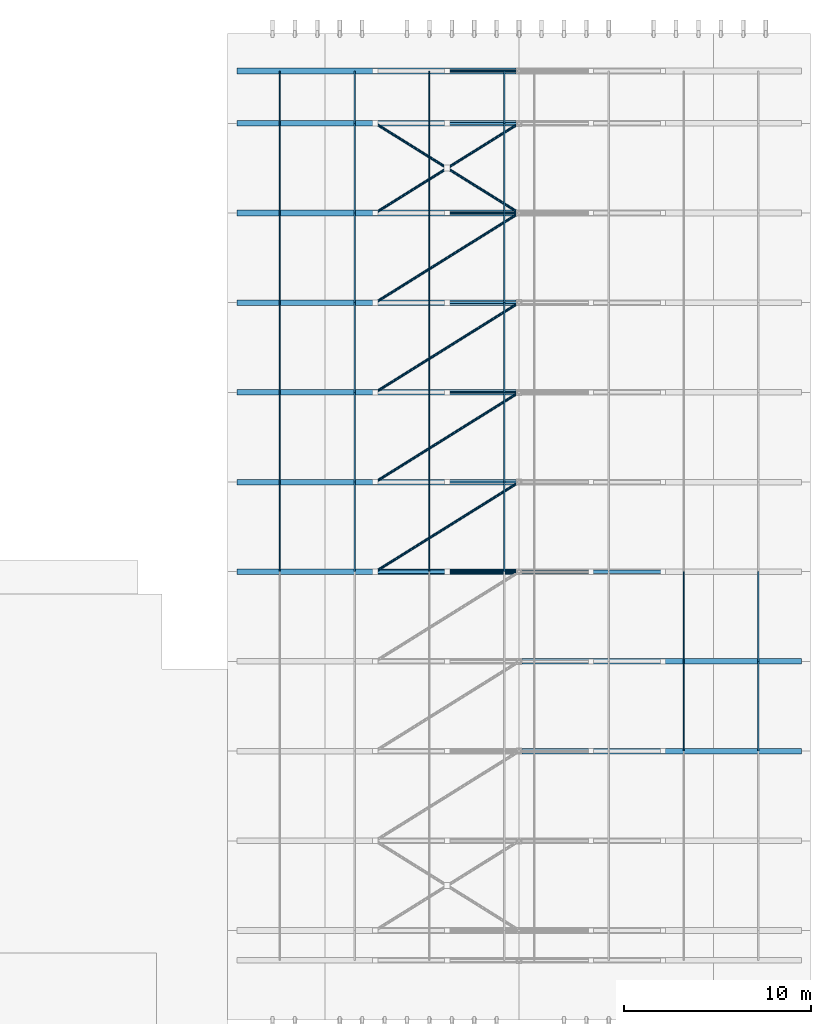
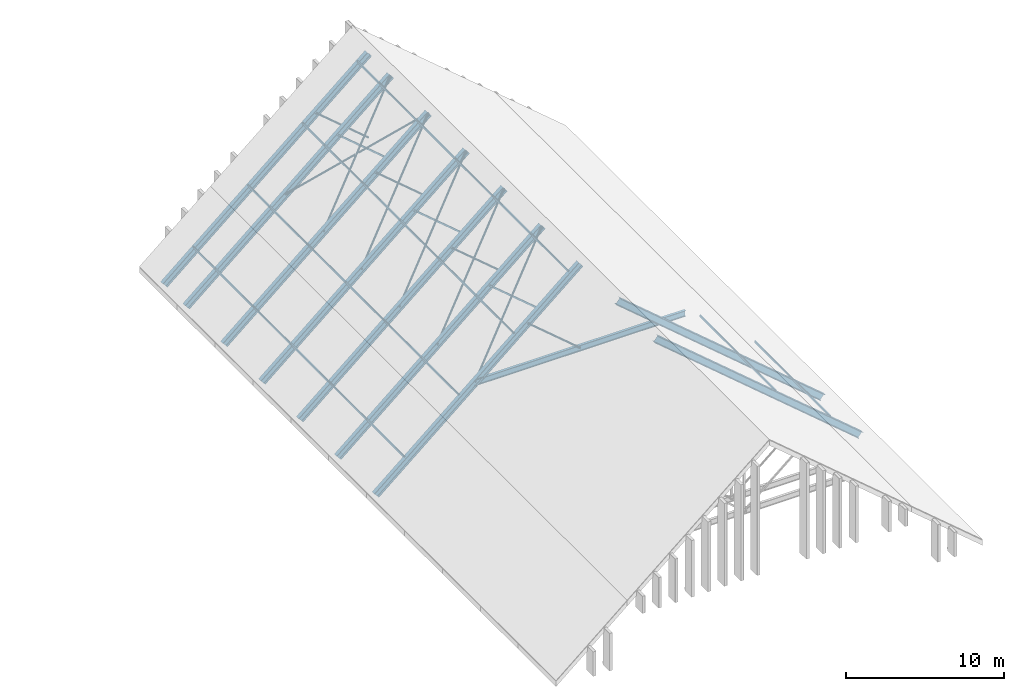
# One storey, part 27 of 60: 42 members, 10 beams.
"""IFC4 building model written with IfcOpenShell, lengths in metres."""

from ifc_helpers import new_model, si_unit, direction, frame, origin, origin_2d, place, context, subcontext, project, spatial, hollow_rectangle, hollow_circle, i_section, extrude, material, material_profile, profile_set, type_object, element, save


model = new_model("IFC4")

# Units and contexts
model_context = context("Model", 3, precision=1e-05, world=origin(), true_north=direction((0.0, 1.0)))
body_context = subcontext(model_context, "Body", "Model", "MODEL_VIEW")
ifc_project = project(units=[si_unit("LENGTHUNIT", "METRE"), si_unit("AREAUNIT", "SQUARE_METRE"), si_unit("VOLUMEUNIT", "CUBIC_METRE"), si_unit("PLANEANGLEUNIT", "RADIAN"), si_unit("MASSUNIT", "GRAM", prefix="KILO")], contexts=[model_context])

# Site, building, storey
site_placement = place(None, origin())
site = spatial("IfcSite", under=ifc_project, at=site_placement, CompositionType="ELEMENT")
building_placement = place(site_placement, origin())
building = spatial("IfcBuilding", under=site, at=building_placement, Name="Nakhvara Creek Congress Hotel", CompositionType="ELEMENT")
storey_placement = place(building_placement, frame((0.0, 0.0, 54.60009765625)))
storey = spatial("IfcBuildingStorey", under=building, at=storey_placement, Name="RL1", CompositionType="ELEMENT", Elevation=54.60009765625)

# Beams
ifc_material_1 = material(Name="Steel S355J2", Category="steel")
ifc_material_profile_1 = material_profile(ifc_material_1, i_section(OverallWidth=0.300048828125, OverallDepth=0.5, WebThickness=0.014404296875, FlangeThickness=0.028076171875, FilletRadius=0.027099609375, at=origin_2d()), Name="HEB 500", Category="LoadBearing")
ifc_profile_set_1 = profile_set([ifc_material_profile_1], Name="Steel S355J2")
beam_type_1 = type_object("IfcBeamType", Name="BM-ST-HEB500", PredefinedType="BEAM", material=ifc_profile_set_1)
for number, where, z_axis, x_axis, name in (
    (1, (164.39990234375, 87.60009765625, 8.11376953125), (0.763392905421, 0.0, -0.645934417687), (0.0, 1.0, 0.0), "Hotel Gothic Gable East Rafter 04"),
    (2, (164.39990234375, 92.39990234375, 8.11376953125), (0.763392905421, 0.0, -0.645934417687), (0.0, 1.0, 0.0), "Hotel Gothic Gable East Rafter 05"),
):
    element("IfcBeam", number, at=place(storey_placement, frame(where, z_axis=z_axis, x_axis=x_axis)), inside=storey, type_object=beam_type_1, Name=name, PredefinedType="BEAM", context=body_context, shape_type="SweptSolid", body=[
        extrude(i_section(OverallWidth=0.300048828125, OverallDepth=0.5, WebThickness=0.014404296875, FlangeThickness=0.028076171875, FilletRadius=0.027099609375, at=origin_2d()), origin(), (0.0, 0.0, 1.0), 19.583984375),
    ])
for number, where, z_axis, x_axis, name in (
    (3, (149.449951171875, 97.199951171875, -4.5361328125), (0.763387703972, 0.0, 0.645940564932), (0.0, 1.0, 0.0), "Hotel Gothic Gable West Rafter 06"),
    (4, (149.449951171875, 102.0, -4.5361328125), (0.763387703972, 0.0, 0.645940564932), (0.0, 1.0, 0.0), "Hotel Gothic Gable West Rafter 07"),
    (5, (149.449951171875, 106.800048828125, -4.5361328125), (0.763387703972, 0.0, 0.645940564932), (0.0, 1.0, 0.0), "Hotel Gothic Gable West Rafter 08"),
    (6, (149.449951171875, 111.60009765625, -4.5361328125), (0.763387703972, 0.0, 0.645940564932), (0.0, 1.0, 0.0), "Hotel Gothic Gable West Rafter 09"),
    (7, (149.449951171875, 116.39990234375, -4.5361328125), (0.763387703972, 0.0, 0.645940564932), (0.0, 1.0, 0.0), "Hotel Gothic Gable West Rafter 10"),
    (8, (149.449951171875, 121.199951171875, -4.5361328125), (0.763387703972, 0.0, 0.645940564932), (0.0, 1.0, 0.0), "Hotel Gothic Gable West Rafter 11"),
    (9, (149.449951171875, 124.0, -4.5361328125), (0.763387703972, 0.0, 0.645940564932), (0.0, 1.0, 0.0), "Hotel Gothic Gable West Rafter 12"),
):
    element("IfcBeam", number, at=place(storey_placement, frame(where, z_axis=z_axis, x_axis=x_axis)), inside=storey, type_object=beam_type_1, Name=name, PredefinedType="BEAM", context=body_context, shape_type="SweptSolid", body=[
        extrude(i_section(OverallWidth=0.300048828125, OverallDepth=0.5, WebThickness=0.014404296875, FlangeThickness=0.028076171875, FilletRadius=0.027099609375, at=origin_2d()), origin(), (0.0, 0.0, 1.0), 19.583740234375),
    ])
ifc_material_profile_2 = material_profile(ifc_material_1, i_section(OverallWidth=0.1904296875, OverallDepth=0.45703125, WebThickness=0.009033203125, FlangeThickness=0.014404296875, FilletRadius=0.01025390625, at=origin_2d()), Name="UB 457x191x74", Category="LoadBearing")
ifc_profile_set_2 = profile_set([ifc_material_profile_2], Name="Steel S355J2")
beam_type_2 = type_object("IfcBeamType", Name="BM-ST-UB457", PredefinedType="BEAM", material=ifc_profile_set_2)
beam_placement = place(storey_placement, frame((156.70166015625, 97.199951171875, 1.599853515625), z_axis=(1.0, 0.0, 0.0), x_axis=(0.0, 1.0, 0.0)))
element("IfcBeam", 10, at=beam_placement, inside=storey, type_object=beam_type_2, Name="Hotel Gothic Gable Collar Tie 06", PredefinedType="BEAM", context=body_context, shape_type="SweptSolid", body=[
    extrude(i_section(OverallWidth=0.1904296875, OverallDepth=0.45703125, WebThickness=0.009033203125, FlangeThickness=0.014404296875, FilletRadius=0.01025390625, at=origin_2d()), origin(), (0.0, 0.0, 1.0), 15.396728515625),
])

# Members
ifc_material_2 = material(Name="Steel S355J2H", Category="steel")
ifc_material_profile_3 = material_profile(ifc_material_2, hollow_circle(Radius=0.06982421875, WallThickness=0.00634765625, at=origin_2d()), Name="CHS 139.7x6.3", Category="LoadBearing")
ifc_profile_set_3 = profile_set([ifc_material_profile_3], Name="Steel S355J2H")
member_type_1 = type_object("IfcMemberType", Name="MEM-BRC-CHS139", PredefinedType="BRACE", material=ifc_profile_set_3)
for number, where, z_axis, x_axis, name in (
    (11, (156.70166015625, 97.199951171875, 1.599853515625), (0.689284113032, 0.429786088619, 0.58324208486), (-0.529098783397, 0.848560237937, 0.0), "Hotel Gable Roof Diaphragm Brace 06"),
    (12, (156.70166015625, 102.0, 1.599853515625), (0.689284113032, 0.429786088619, 0.58324208486), (-0.529098783397, 0.848560237937, 0.0), "Hotel Gable Roof Diaphragm Brace 07"),
    (13, (156.70166015625, 106.800048828125, 1.599853515625), (0.689284113032, 0.429786088619, 0.58324208486), (-0.529098783397, 0.848560237937, 0.0), "Hotel Gable Roof Diaphragm Brace 08"),
    (14, (156.70166015625, 111.60009765625, 1.599853515625), (0.689290588817, 0.429768266401, 0.583247564386), (-0.529079405538, 0.848572320215, 0.0), "Hotel Gable Roof Diaphragm Brace 09"),
    (15, (156.70166015625, 116.39990234375, 1.599853515625), (0.689284113032, 0.429786088619, 0.58324208486), (-0.529098783397, 0.848560237937, 0.0), "Hotel Gable Roof Diaphragm Brace 10"),
):
    element("IfcMember", number, at=place(storey_placement, frame(where, z_axis=z_axis, x_axis=x_axis)), inside=storey, type_object=member_type_1, Name=name, PredefinedType="BRACE", context=body_context, shape_type="SweptSolid", body=[
        extrude(hollow_circle(Radius=0.06982421875, WallThickness=0.00634765625, at=origin_2d()), origin(), (0.0, 0.0, 1.0), 11.16845703125),
    ])
member_1_placement = place(storey_placement, frame((156.70166015625, 121.199951171875, 1.599853515625), z_axis=(0.68929170594, -0.429781517776, 0.583236479569), x_axis=(0.529090534892, 0.848565381033, 0.0)))
element("IfcMember", 16, at=member_1_placement, inside=storey, type_object=member_type_1, Name="Hotel Gable Split X-Brace Segment 10A", PredefinedType="BRACE", context=body_context, shape_type="SweptSolid", body=[
    extrude(hollow_circle(Radius=0.06982421875, WallThickness=0.00634765625, at=origin_2d()), origin(), (0.0, 0.0, 1.0), 5.4443359375),
])
member_2_placement = place(storey_placement, frame((160.647216796875, 118.73974609375, 4.938720703125), z_axis=(0.689309734001, -0.429792758484, 0.583206888991), x_axis=(0.529090534892, 0.848565381033, 0.0)))
element("IfcMember", 17, at=member_2_placement, inside=storey, type_object=member_type_1, Name="Hotel Gable Split X-Brace Segment 10B", PredefinedType="BRACE", context=body_context, shape_type="SweptSolid", body=[
    extrude(hollow_circle(Radius=0.06982421875, WallThickness=0.00634765625, at=origin_2d()), origin(), (0.0, 0.0, 1.0), 5.444091796875),
])
ifc_material_profile_4 = material_profile(ifc_material_2, hollow_circle(Radius=0.06982421875, WallThickness=0.008056640625, at=origin_2d()), Name="CHS 139.7x8.0", Category="LoadBearing")
ifc_profile_set_4 = profile_set([ifc_material_profile_4], Name="Steel S355J2H")
member_type_2 = type_object("IfcMemberType", Name="MEM-BRC-CHS139H", PredefinedType="BRACE", material=ifc_profile_set_4)
for number, where, z_axis, x_axis, name in (
    (18, (164.39990234375, 97.199951171875, 1.599853515625), (-0.763373429147, 0.0, 0.645957434876), (0.0, -1.0, 0.0), "Hotel Gable Web Brace W-06"),
    (19, (164.39990234375, 106.800048828125, 1.599853515625), (-0.763373429147, 0.0, 0.645957434876), (0.0, -1.0, 0.0), "Hotel Gable Web Brace W-08"),
    (20, (164.39990234375, 116.39990234375, 1.599853515625), (-0.763373429147, 0.0, 0.645957434876), (0.0, -1.0, 0.0), "Hotel Gable Web Brace W-10"),
    (21, (164.39990234375, 124.0, 1.599853515625), (-0.763373429147, 0.0, 0.645957434876), (0.0, -1.0, 0.0), "Hotel Gable Web Brace W-12"),
):
    element("IfcMember", number, at=place(storey_placement, frame(where, z_axis=z_axis, x_axis=x_axis)), inside=storey, type_object=member_type_2, Name=name, PredefinedType="BRACE", context=body_context, shape_type="SweptSolid", body=[
        extrude(hollow_circle(Radius=0.06982421875, WallThickness=0.008056640625, at=origin_2d()), origin(), (0.0, 0.0, 1.0), 5.042236328125),
    ])
ifc_material_profile_5 = material_profile(ifc_material_2, hollow_rectangle(XDim=0.1201171875, YDim=0.1201171875, WallThickness=0.008056640625, InnerFilletRadius=0.008056640625, OuterFilletRadius=0.01611328125, at=origin_2d()), Name="SHS 120x120x8.0", Category="LoadBearing")
ifc_profile_set_5 = profile_set([ifc_material_profile_5], Name="Steel S355J2H")
member_type_3 = type_object("IfcMemberType", Name="MEM-BRC-SHS120", PredefinedType="BRACE", material=ifc_profile_set_5)
for number, where, z_axis, x_axis, name in (
    (22, (164.39990234375, 102.0, 1.599853515625), (-0.763373429147, 0.0, 0.645957434876), (0.0, -1.0, 0.0), "Hotel Gable Web Brace W-07"),
    (23, (164.39990234375, 111.60009765625, 1.599853515625), (-0.763373429147, 0.0, 0.645957434876), (0.0, -1.0, 0.0), "Hotel Gable Web Brace W-09"),
    (24, (164.39990234375, 121.199951171875, 1.599853515625), (-0.763373429147, 0.0, 0.645957434876), (0.0, -1.0, 0.0), "Hotel Gable Web Brace W-11"),
):
    element("IfcMember", number, at=place(storey_placement, frame(where, z_axis=z_axis, x_axis=x_axis)), inside=storey, type_object=member_type_3, Name=name, PredefinedType="BRACE", context=body_context, shape_type="SweptSolid", body=[
        extrude(hollow_rectangle(XDim=0.1201171875, YDim=0.1201171875, WallThickness=0.008056640625, InnerFilletRadius=0.008056640625, OuterFilletRadius=0.01611328125, at=origin_2d()), origin(), (0.0, 0.0, 1.0), 5.042236328125),
    ])
ifc_material_profile_6 = material_profile(ifc_material_2, hollow_rectangle(XDim=0.080078125, YDim=0.159912109375, WallThickness=0.00634765625, InnerFilletRadius=0.00634765625, OuterFilletRadius=0.0126953125, at=origin_2d()), Name="RHS 160x80x6.3", Category="LoadBearing")
ifc_profile_set_6 = profile_set([ifc_material_profile_6], Name="Steel S355J2H")
member_type_4 = type_object("IfcMemberType", Name="MEM-PUR-RHS160", PredefinedType="PURLIN", material=ifc_profile_set_6)
for number, where, z_axis, x_axis, name in (
    (25, (151.60009765625, 97.199951171875, -2.39697265625), (0.0, 1.0, 0.0), (-1.0, 0.0, 0.0), "Hotel Gable Purlin PR03-1.06"),
    (26, (151.60009765625, 102.0, -2.39697265625), (0.0, 1.0, 0.0), (-1.0, 0.0, 0.0), "Hotel Gable Purlin PR03-1.07"),
    (27, (151.60009765625, 106.800048828125, -2.39697265625), (0.0, 1.0, 0.0), (-1.0, 0.0, 0.0), "Hotel Gable Purlin PR03-1.08"),
):
    element("IfcMember", number, at=place(storey_placement, frame(where, z_axis=z_axis, x_axis=x_axis)), inside=storey, type_object=member_type_4, Name=name, PredefinedType="PURLIN", context=body_context, shape_type="SweptSolid", body=[
        extrude(hollow_rectangle(XDim=0.080078125, YDim=0.159912109375, WallThickness=0.00634765625, InnerFilletRadius=0.00634765625, OuterFilletRadius=0.0126953125, at=origin_2d()), origin(), (0.0, 0.0, 1.0), 4.800048828125),
    ])
member_3_placement = place(storey_placement, frame((151.60009765625, 111.60009765625, -2.39697265625), z_axis=(0.0, 1.0, 0.0), x_axis=(-1.0, 0.0, 0.0)))
element("IfcMember", 28, at=member_3_placement, inside=storey, type_object=member_type_4, Name="Hotel Gable Purlin PR03-1.09", PredefinedType="PURLIN", context=body_context, shape_type="SweptSolid", body=[
    extrude(hollow_rectangle(XDim=0.080078125, YDim=0.159912109375, WallThickness=0.00634765625, InnerFilletRadius=0.00634765625, OuterFilletRadius=0.0126953125, at=origin_2d()), origin(), (0.0, 0.0, 1.0), 4.7998046875),
])
member_4_placement = place(storey_placement, frame((151.60009765625, 116.39990234375, -2.39697265625), z_axis=(0.0, 1.0, 0.0), x_axis=(-1.0, 0.0, 0.0)))
element("IfcMember", 29, at=member_4_placement, inside=storey, type_object=member_type_4, Name="Hotel Gable Purlin PR03-1.10", PredefinedType="PURLIN", context=body_context, shape_type="SweptSolid", body=[
    extrude(hollow_rectangle(XDim=0.080078125, YDim=0.159912109375, WallThickness=0.00634765625, InnerFilletRadius=0.00634765625, OuterFilletRadius=0.0126953125, at=origin_2d()), origin(), (0.0, 0.0, 1.0), 4.800048828125),
])
member_5_placement = place(storey_placement, frame((151.60009765625, 121.199951171875, -2.39697265625), z_axis=(0.0, 1.0, 0.0), x_axis=(-1.0, 0.0, 0.0)))
element("IfcMember", 30, at=member_5_placement, inside=storey, type_object=member_type_4, Name="Hotel Gable Purlin PR03-1.11", PredefinedType="PURLIN", context=body_context, shape_type="SweptSolid", body=[
    extrude(hollow_rectangle(XDim=0.080078125, YDim=0.159912109375, WallThickness=0.00634765625, InnerFilletRadius=0.00634765625, OuterFilletRadius=0.0126953125, at=origin_2d()), origin(), (0.0, 0.0, 1.0), 2.800048828125),
])
for number, where, z_axis, x_axis, name in (
    (31, (155.60009765625, 97.199951171875, 0.98779296875), (0.0, 1.0, 0.0), (-1.0, 0.0, 0.0), "Hotel Gable Purlin PR03-2.06"),
    (32, (155.60009765625, 102.0, 0.98779296875), (0.0, 1.0, 0.0), (-1.0, 0.0, 0.0), "Hotel Gable Purlin PR03-2.07"),
    (33, (155.60009765625, 106.800048828125, 0.98779296875), (0.0, 1.0, 0.0), (-1.0, 0.0, 0.0), "Hotel Gable Purlin PR03-2.08"),
):
    element("IfcMember", number, at=place(storey_placement, frame(where, z_axis=z_axis, x_axis=x_axis)), inside=storey, type_object=member_type_4, Name=name, PredefinedType="PURLIN", context=body_context, shape_type="SweptSolid", body=[
        extrude(hollow_rectangle(XDim=0.080078125, YDim=0.159912109375, WallThickness=0.00634765625, InnerFilletRadius=0.00634765625, OuterFilletRadius=0.0126953125, at=origin_2d()), origin(), (0.0, 0.0, 1.0), 4.800048828125),
    ])
member_6_placement = place(storey_placement, frame((155.60009765625, 111.60009765625, 0.98779296875), z_axis=(0.0, 1.0, 0.0), x_axis=(-1.0, 0.0, 0.0)))
element("IfcMember", 34, at=member_6_placement, inside=storey, type_object=member_type_4, Name="Hotel Gable Purlin PR03-2.09", PredefinedType="PURLIN", context=body_context, shape_type="SweptSolid", body=[
    extrude(hollow_rectangle(XDim=0.080078125, YDim=0.159912109375, WallThickness=0.00634765625, InnerFilletRadius=0.00634765625, OuterFilletRadius=0.0126953125, at=origin_2d()), origin(), (0.0, 0.0, 1.0), 4.7998046875),
])
member_7_placement = place(storey_placement, frame((155.60009765625, 116.39990234375, 0.98779296875), z_axis=(0.0, 1.0, 0.0), x_axis=(-1.0, 0.0, 0.0)))
element("IfcMember", 35, at=member_7_placement, inside=storey, type_object=member_type_4, Name="Hotel Gable Purlin PR03-2.10", PredefinedType="PURLIN", context=body_context, shape_type="SweptSolid", body=[
    extrude(hollow_rectangle(XDim=0.080078125, YDim=0.159912109375, WallThickness=0.00634765625, InnerFilletRadius=0.00634765625, OuterFilletRadius=0.0126953125, at=origin_2d()), origin(), (0.0, 0.0, 1.0), 4.800048828125),
])
member_8_placement = place(storey_placement, frame((155.60009765625, 121.199951171875, 0.98779296875), z_axis=(0.0, 1.0, 0.0), x_axis=(-1.0, 0.0, 0.0)))
element("IfcMember", 36, at=member_8_placement, inside=storey, type_object=member_type_4, Name="Hotel Gable Purlin PR03-2.11", PredefinedType="PURLIN", context=body_context, shape_type="SweptSolid", body=[
    extrude(hollow_rectangle(XDim=0.080078125, YDim=0.159912109375, WallThickness=0.00634765625, InnerFilletRadius=0.00634765625, OuterFilletRadius=0.0126953125, at=origin_2d()), origin(), (0.0, 0.0, 1.0), 2.800048828125),
])
for number, where, z_axis, x_axis, name in (
    (37, (159.60009765625, 97.199951171875, 4.372314453125), (0.0, 1.0, 0.0), (-1.0, 0.0, 0.0), "Hotel Gable Purlin PR03-3.06"),
    (38, (159.60009765625, 102.0, 4.372314453125), (0.0, 1.0, 0.0), (-1.0, 0.0, 0.0), "Hotel Gable Purlin PR03-3.07"),
    (39, (159.60009765625, 106.800048828125, 4.372314453125), (0.0, 1.0, 0.0), (-1.0, 0.0, 0.0), "Hotel Gable Purlin PR03-3.08"),
):
    element("IfcMember", number, at=place(storey_placement, frame(where, z_axis=z_axis, x_axis=x_axis)), inside=storey, type_object=member_type_4, Name=name, PredefinedType="PURLIN", context=body_context, shape_type="SweptSolid", body=[
        extrude(hollow_rectangle(XDim=0.080078125, YDim=0.159912109375, WallThickness=0.00634765625, InnerFilletRadius=0.00634765625, OuterFilletRadius=0.0126953125, at=origin_2d()), origin(), (0.0, 0.0, 1.0), 4.800048828125),
    ])
member_9_placement = place(storey_placement, frame((159.60009765625, 111.60009765625, 4.372314453125), z_axis=(0.0, 1.0, 0.0), x_axis=(-1.0, 0.0, 0.0)))
element("IfcMember", 40, at=member_9_placement, inside=storey, type_object=member_type_4, Name="Hotel Gable Purlin PR03-3.09", PredefinedType="PURLIN", context=body_context, shape_type="SweptSolid", body=[
    extrude(hollow_rectangle(XDim=0.080078125, YDim=0.159912109375, WallThickness=0.00634765625, InnerFilletRadius=0.00634765625, OuterFilletRadius=0.0126953125, at=origin_2d()), origin(), (0.0, 0.0, 1.0), 4.7998046875),
])
member_10_placement = place(storey_placement, frame((159.60009765625, 116.39990234375, 4.372314453125), z_axis=(0.0, 1.0, 0.0), x_axis=(-1.0, 0.0, 0.0)))
element("IfcMember", 41, at=member_10_placement, inside=storey, type_object=member_type_4, Name="Hotel Gable Purlin PR03-3.10", PredefinedType="PURLIN", context=body_context, shape_type="SweptSolid", body=[
    extrude(hollow_rectangle(XDim=0.080078125, YDim=0.159912109375, WallThickness=0.00634765625, InnerFilletRadius=0.00634765625, OuterFilletRadius=0.0126953125, at=origin_2d()), origin(), (0.0, 0.0, 1.0), 4.800048828125),
])
member_11_placement = place(storey_placement, frame((159.60009765625, 121.199951171875, 4.372314453125), z_axis=(0.0, 1.0, 0.0), x_axis=(-1.0, 0.0, 0.0)))
element("IfcMember", 42, at=member_11_placement, inside=storey, type_object=member_type_4, Name="Hotel Gable Purlin PR03-3.11", PredefinedType="PURLIN", context=body_context, shape_type="SweptSolid", body=[
    extrude(hollow_rectangle(XDim=0.080078125, YDim=0.159912109375, WallThickness=0.00634765625, InnerFilletRadius=0.00634765625, OuterFilletRadius=0.0126953125, at=origin_2d()), origin(), (0.0, 0.0, 1.0), 2.800048828125),
])
for number, where, z_axis, x_axis, name in (
    (43, (163.60009765625, 97.199951171875, 7.7568359375), (0.0, 1.0, 0.0), (-1.0, 0.0, 0.0), "Hotel Gable Purlin PR03-4.06"),
    (44, (163.60009765625, 102.0, 7.7568359375), (0.0, 1.0, 0.0), (-1.0, 0.0, 0.0), "Hotel Gable Purlin PR03-4.07"),
    (45, (163.60009765625, 106.800048828125, 7.7568359375), (0.0, 1.0, 0.0), (-1.0, 0.0, 0.0), "Hotel Gable Purlin PR03-4.08"),
):
    element("IfcMember", number, at=place(storey_placement, frame(where, z_axis=z_axis, x_axis=x_axis)), inside=storey, type_object=member_type_4, Name=name, PredefinedType="PURLIN", context=body_context, shape_type="SweptSolid", body=[
        extrude(hollow_rectangle(XDim=0.080078125, YDim=0.159912109375, WallThickness=0.00634765625, InnerFilletRadius=0.00634765625, OuterFilletRadius=0.0126953125, at=origin_2d()), origin(), (0.0, 0.0, 1.0), 4.800048828125),
    ])
member_12_placement = place(storey_placement, frame((163.60009765625, 111.60009765625, 7.7568359375), z_axis=(0.0, 1.0, 0.0), x_axis=(-1.0, 0.0, 0.0)))
element("IfcMember", 46, at=member_12_placement, inside=storey, type_object=member_type_4, Name="Hotel Gable Purlin PR03-4.09", PredefinedType="PURLIN", context=body_context, shape_type="SweptSolid", body=[
    extrude(hollow_rectangle(XDim=0.080078125, YDim=0.159912109375, WallThickness=0.00634765625, InnerFilletRadius=0.00634765625, OuterFilletRadius=0.0126953125, at=origin_2d()), origin(), (0.0, 0.0, 1.0), 4.7998046875),
])
member_13_placement = place(storey_placement, frame((163.60009765625, 116.39990234375, 7.7568359375), z_axis=(0.0, 1.0, 0.0), x_axis=(-1.0, 0.0, 0.0)))
element("IfcMember", 47, at=member_13_placement, inside=storey, type_object=member_type_4, Name="Hotel Gable Purlin PR03-4.10", PredefinedType="PURLIN", context=body_context, shape_type="SweptSolid", body=[
    extrude(hollow_rectangle(XDim=0.080078125, YDim=0.159912109375, WallThickness=0.00634765625, InnerFilletRadius=0.00634765625, OuterFilletRadius=0.0126953125, at=origin_2d()), origin(), (0.0, 0.0, 1.0), 4.800048828125),
])
member_14_placement = place(storey_placement, frame((163.60009765625, 121.199951171875, 7.7568359375), z_axis=(0.0, 1.0, 0.0), x_axis=(-1.0, 0.0, 0.0)))
element("IfcMember", 48, at=member_14_placement, inside=storey, type_object=member_type_4, Name="Hotel Gable Purlin PR03-4.11", PredefinedType="PURLIN", context=body_context, shape_type="SweptSolid", body=[
    extrude(hollow_rectangle(XDim=0.080078125, YDim=0.159912109375, WallThickness=0.00634765625, InnerFilletRadius=0.00634765625, OuterFilletRadius=0.0126953125, at=origin_2d()), origin(), (0.0, 0.0, 1.0), 2.800048828125),
])
member_15_placement = place(storey_placement, frame((173.199951171875, 87.60009765625, 0.98779296875), z_axis=(0.0, 1.0, 0.0), x_axis=(-1.0, 0.0, 0.0)))
element("IfcMember", 49, at=member_15_placement, inside=storey, type_object=member_type_4, Name="Hotel Gable Purlin PR03-7.04", PredefinedType="PURLIN", context=body_context, shape_type="SweptSolid", body=[
    extrude(hollow_rectangle(XDim=0.080078125, YDim=0.159912109375, WallThickness=0.00634765625, InnerFilletRadius=0.00634765625, OuterFilletRadius=0.0126953125, at=origin_2d()), origin(), (0.0, 0.0, 1.0), 4.7998046875),
])
member_16_placement = place(storey_placement, frame((173.199951171875, 92.39990234375, 0.98779296875), z_axis=(0.0, 1.0, 0.0), x_axis=(-1.0, 0.0, 0.0)))
element("IfcMember", 50, at=member_16_placement, inside=storey, type_object=member_type_4, Name="Hotel Gable Purlin PR03-7.05", PredefinedType="PURLIN", context=body_context, shape_type="SweptSolid", body=[
    extrude(hollow_rectangle(XDim=0.080078125, YDim=0.159912109375, WallThickness=0.00634765625, InnerFilletRadius=0.00634765625, OuterFilletRadius=0.0126953125, at=origin_2d()), origin(), (0.0, 0.0, 1.0), 4.800048828125),
])
member_17_placement = place(storey_placement, frame((177.199951171875, 87.60009765625, -2.39697265625), z_axis=(0.0, 1.0, 0.0), x_axis=(-1.0, 0.0, 0.0)))
element("IfcMember", 51, at=member_17_placement, inside=storey, type_object=member_type_4, Name="Hotel Gable Purlin PR03-8.04", PredefinedType="PURLIN", context=body_context, shape_type="SweptSolid", body=[
    extrude(hollow_rectangle(XDim=0.080078125, YDim=0.159912109375, WallThickness=0.00634765625, InnerFilletRadius=0.00634765625, OuterFilletRadius=0.0126953125, at=origin_2d()), origin(), (0.0, 0.0, 1.0), 4.7998046875),
])
member_18_placement = place(storey_placement, frame((177.199951171875, 92.39990234375, -2.39697265625), z_axis=(0.0, 1.0, 0.0), x_axis=(-1.0, 0.0, 0.0)))
element("IfcMember", 52, at=member_18_placement, inside=storey, type_object=member_type_4, Name="Hotel Gable Purlin PR03-8.05", PredefinedType="PURLIN", context=body_context, shape_type="SweptSolid", body=[
    extrude(hollow_rectangle(XDim=0.080078125, YDim=0.159912109375, WallThickness=0.00634765625, InnerFilletRadius=0.00634765625, OuterFilletRadius=0.0126953125, at=origin_2d()), origin(), (0.0, 0.0, 1.0), 4.800048828125),
])

save(model, "model.ifc")
